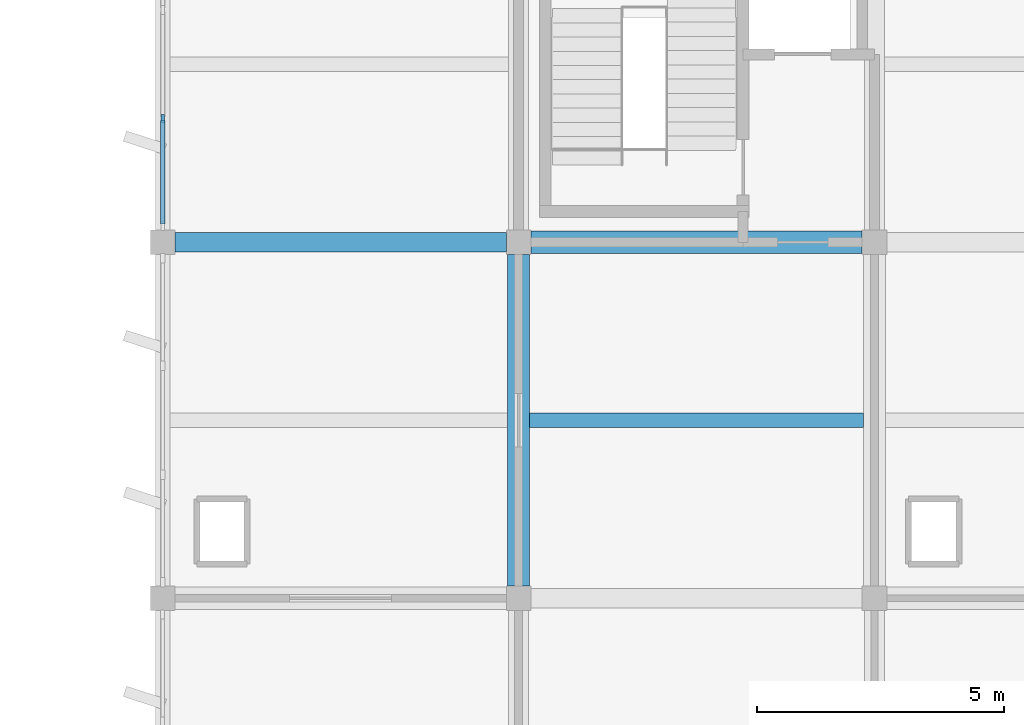
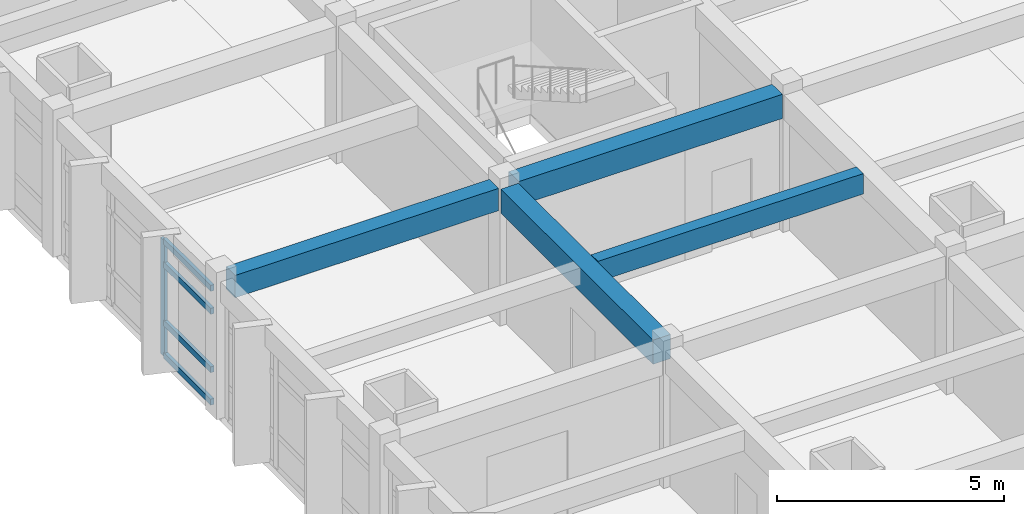
# One storey, part 15 of 40: 5 members, 4 beams, 1 element without a shape of its own.
"""IFC4 building model written with IfcOpenShell, lengths in metres."""

import ifcopenshell
import ifcopenshell.guid

model = None  # the IFC model being written
_history = None  # IfcOwnerHistory: only IFC2X3 demands one
_inside = {}  # id of a spatial element -> (the spatial element, [elements in it])
_under = {}  # id of a project, library or spatial element -> (it, [spatial elements below it])
_declared = {}  # id of a project -> (the project, [libraries it declares])
_typed = {}  # id of a type object -> (the type object, [elements of that type])
_made_of = {}  # id of a material, layer set ... -> (it, [elements and type objects made of it])


def new_model(schema):
    """Start an empty IFC model of exactly this schema.

    Asked for "IFC4X3", IfcOpenShell would pick the latest addendum, in which some entities
    have other attributes; the version numbers below select the first issue.
    IFC2X3 requires an IfcOwnerHistory on every rooted entity: one is made here for all.
    """
    global model, _history
    if schema == "IFC4X3":
        model = ifcopenshell.file(schema_version=(4, 3, 0, 0))
    else:
        model = ifcopenshell.file(schema=schema)
    _inside.clear()
    _under.clear()
    _declared.clear()
    _typed.clear()
    _made_of.clear()
    _history = None
    if model.schema == "IFC2X3":
        org = make("IfcOrganization", Name="unknown")
        user = make(
            "IfcPersonAndOrganization",
            ThePerson=make("IfcPerson", FamilyName="unknown"),
            TheOrganization=org,
        )
        app = make(
            "IfcApplication",
            ApplicationDeveloper=org,
            Version="unknown",
            ApplicationFullName="unknown",
            ApplicationIdentifier="unknown",
        )
        _history = make(
            "IfcOwnerHistory",
            OwningUser=user,
            OwningApplication=app,
            ChangeAction="ADDED",
            CreationDate=0,
        )
    return model


def make(cls, **values):
    """One entity of the class cls with the attributes given. An attribute that is None is left unset."""
    return model.create_entity(
        cls, **{name: value for name, value in values.items() if value is not None}
    )


def rooted(cls, **values):
    """An entity with a GlobalId (a new one), such as an element, a storey or a relation."""
    return make(cls, GlobalId=ifcopenshell.guid.new(), OwnerHistory=_history, **values)


def si_unit(unit_type, name, prefix=None):
    """IfcSIUnit, for example si_unit("LENGTHUNIT", "METRE", prefix="MILLI")."""
    return make("IfcSIUnit", UnitType=unit_type, Prefix=prefix, Name=name)


def assignment(units):
    """IfcUnitAssignment: the units of a project."""
    return None if units is None else make("IfcUnitAssignment", Units=units)


def point(xyz):
    """IfcCartesianPoint."""
    return None if xyz is None else make("IfcCartesianPoint", Coordinates=xyz)


def direction(xyz):
    """IfcDirection."""
    return None if xyz is None else make("IfcDirection", DirectionRatios=xyz)


def frame(location, z_axis=None, x_axis=None):
    """IfcAxis2Placement3D, a coordinate frame: its origin and axes. An axis left out is left unset."""
    return make(
        "IfcAxis2Placement3D",
        Location=point(location),
        Axis=direction(z_axis),
        RefDirection=direction(x_axis),
    )


def frame_2d(location, x_axis=None):
    """IfcAxis2Placement2D, a coordinate frame in the plane: its origin and x axis."""
    return make(
        "IfcAxis2Placement2D", Location=point(location), RefDirection=direction(x_axis)
    )


def origin():
    """The frame at (0, 0, 0) with its axes left unset."""
    return frame((0.0, 0.0, 0.0))


def origin_2d():
    """The frame at (0, 0) in the plane with its x axis left unset."""
    return frame_2d((0.0, 0.0))


def place(relative_to, where):
    """IfcLocalPlacement: puts the frame where relative to a parent placement (None: the world)."""
    return make(
        "IfcLocalPlacement", PlacementRelTo=relative_to, RelativePlacement=where
    )


def context(
    kind, dimensions, precision=None, world=None, true_north=None, identifier=None
):
    """IfcGeometricRepresentationContext, for example the 3D "Model" context."""
    return make(
        "IfcGeometricRepresentationContext",
        ContextIdentifier=identifier,
        ContextType=kind,
        CoordinateSpaceDimension=dimensions,
        Precision=precision,
        WorldCoordinateSystem=world,
        TrueNorth=true_north,
    )


def subcontext(parent, identifier, kind, view, scale=None):
    """IfcGeometricRepresentationSubContext, for example "Body" below "Model"."""
    return make(
        "IfcGeometricRepresentationSubContext",
        ContextIdentifier=identifier,
        ContextType=kind,
        ParentContext=parent,
        TargetScale=scale,
        TargetView=view,
    )


def project(units=None, contexts=None):
    """IfcProject with its units and contexts."""
    return rooted(
        "IfcProject",
        Name="project",
        RepresentationContexts=contexts,
        UnitsInContext=assignment(units),
    )


def spatial(cls, under=None, at=None, **own):
    """A site, building, storey or space (cls), placed at a placement, below another one or the project."""
    s = rooted(cls, ObjectPlacement=at, **own)
    if under is not None:
        _under.setdefault(under.id(), (under, []))[1].append(s)
    return s


def profile(cls, at=None, kind="AREA", **sizes):
    """A parametric profile (cls). Its sizes go by their IFC names, for example OverallWidth=200.0."""
    return make(cls, ProfileType=kind, Position=at, **sizes)


def rectangle(**sizes):
    """IfcRectangleProfileDef."""
    return profile("IfcRectangleProfileDef", **sizes)


def extrude(swept, where, along, depth):
    """IfcExtrudedAreaSolid: the profile swept, set in the frame where, extruded along a direction by depth."""
    return make(
        "IfcExtrudedAreaSolid",
        SweptArea=swept,
        Position=where,
        ExtrudedDirection=direction(along),
        Depth=depth,
    )


def shape(context_of_items, identifier, shape_type, items):
    """IfcShapeRepresentation: the items that make up one representation, for example the "Body"."""
    return make(
        "IfcShapeRepresentation",
        ContextOfItems=context_of_items,
        RepresentationIdentifier=identifier,
        RepresentationType=shape_type,
        Items=items,
    )


def material(Name=None, Category=None):
    """IfcMaterial."""
    return make("IfcMaterial", Name=Name, Category=Category)


def layer(
    of_material, thickness, ventilated=None, Name=None, Category=None, Priority=None
):
    """IfcMaterialLayer: one layer of a wall or slab, of a material (None: an air gap)."""
    return make(
        "IfcMaterialLayer",
        Material=of_material,
        LayerThickness=thickness,
        IsVentilated=ventilated,
        Name=Name,
        Category=Category,
        Priority=Priority,
    )


def layer_set(layers, Name=None):
    """IfcMaterialLayerSet."""
    return make("IfcMaterialLayerSet", MaterialLayers=layers, LayerSetName=Name)


def material_profile(
    of_material, cross_section, Name=None, Category=None, Priority=None
):
    """IfcMaterialProfile: a cross section and its material."""
    return make(
        "IfcMaterialProfile",
        Name=Name,
        Material=of_material,
        Profile=cross_section,
        Priority=Priority,
        Category=Category,
    )


def profile_set(profiles, Name=None, composite=None):
    """IfcMaterialProfileSet."""
    return make(
        "IfcMaterialProfileSet",
        Name=Name,
        MaterialProfiles=profiles,
        CompositeProfile=composite,
    )


def made_of(thing, what):
    """Note that an element or type object is made of a material, layer set ...; save() writes the relation."""
    if what is not None:
        _made_of.setdefault(what.id(), (what, []))[1].append(thing)
    return thing


def type_object(cls, material=None, **own):
    """A type object (cls), such as IfcWallType, which elements share."""
    return made_of(rooted(cls, **own), material)


def element(
    cls,
    number,
    at=None,
    inside=None,
    cuts=None,
    type_object=None,
    material=None,
    context=None,
    identifier="Body",
    shape_type=None,
    held_by="IfcProductDefinitionShape",
    body=None,
    shapes=None,
    **own,
):
    """One element of the class cls, such as IfcWall. Its Tag is "e" and its number.

    at: its placement. inside: the storey or other place that contains it. cuts: it is an
    opening in that element (IfcRelVoidsElement). A single representation is given by context,
    identifier, shape_type and body (its items); several are given by shapes. held_by: the class
    of the entity that holds the representations. save() writes the other relations.
    """
    e = rooted(cls, Tag="e%d" % number, ObjectPlacement=at, **own)
    if body is not None:
        shapes = [shape(context, identifier, shape_type, body)]
    if shapes is not None:
        e.Representation = make(held_by, Representations=shapes)
    if inside is not None:
        _inside.setdefault(inside.id(), (inside, []))[1].append(e)
    if cuts is not None:
        rooted(
            "IfcRelVoidsElement", RelatingBuildingElement=cuts, RelatedOpeningElement=e
        )
    if type_object is not None:
        _typed.setdefault(type_object.id(), (type_object, []))[1].append(e)
    return made_of(e, material)


def aggregate(whole, parts):
    """IfcRelAggregates: a whole, such as a stair, and the parts it consists of."""
    return rooted("IfcRelAggregates", RelatingObject=whole, RelatedObjects=parts)


def save(model, path):
    """Write the relations noted so far, then the file.

    IfcRelAggregates (storeys below a building ...), IfcRelContainedInSpatialStructure (elements
    in a storey), IfcRelDefinesByType, IfcRelAssociatesMaterial and IfcRelDeclares: one each for
    every whole, place, type object, material and project.
    """
    for whole, parts in _under.values():
        aggregate(whole, parts)
    for where, things in _inside.values():
        rooted(
            "IfcRelContainedInSpatialStructure",
            RelatedElements=things,
            RelatingStructure=where,
        )
    for kind, things in _typed.values():
        rooted("IfcRelDefinesByType", RelatedObjects=things, RelatingType=kind)
    for what, things in _made_of.values():
        rooted("IfcRelAssociatesMaterial", RelatedObjects=things, RelatingMaterial=what)
    for by, libraries in _declared.values():
        rooted("IfcRelDeclares", RelatingContext=by, RelatedDefinitions=libraries)
    model.write(path)


model = new_model("IFC4")

# Units and contexts
model_context = context("Model", 3, precision=1e-05, world=origin(), true_north=direction((0.0, 1.0)))
body_context = subcontext(model_context, "Body", "Model", "MODEL_VIEW")
ifc_project = project(units=[si_unit("LENGTHUNIT", "METRE"), si_unit("AREAUNIT", "SQUARE_METRE"), si_unit("VOLUMEUNIT", "CUBIC_METRE"), si_unit("PLANEANGLEUNIT", "RADIAN"), si_unit("MASSUNIT", "GRAM", prefix="KILO")], contexts=[model_context])

# Site, building, storey
site_placement = place(None, origin())
site = spatial("IfcSite", under=ifc_project, at=site_placement, CompositionType="ELEMENT")
building_placement = place(site_placement, origin())
building = spatial("IfcBuilding", under=site, at=building_placement, Name="Kavelor Marine Aquarium", CompositionType="ELEMENT")
storey_placement = place(building_placement, frame((0.0, 0.0, 17.639892578125)))
storey = spatial("IfcBuildingStorey", under=building, at=storey_placement, Name="L04", CompositionType="ELEMENT", Elevation=17.639892578125)

# Beams
ifc_material_1 = material(Name="Concrete C40/50", Category="concrete")
ifc_material_profile_1 = material_profile(ifc_material_1, rectangle(XDim=0.449951171875, YDim=0.64990234375, at=origin_2d()), Name="RC-BM 450x650")
ifc_profile_set_1 = profile_set([ifc_material_profile_1], Name="Concrete C40/50")
beam_type_1 = type_object("IfcBeamType", Name="BM-B3", PredefinedType="BEAM", material=ifc_profile_set_1)
for number, where, z_axis, x_axis, name in (
    (1, (125.85009765625, 96.39990234375, 3.375), (1.0, 0.0, 0.0), (0.0, 1.0, 0.0), "bm:x:L04:L05:17_13"),
    (2, (125.60009765625, 89.449951171875, 3.355224609375), (0.0, 1.0, 0.0), (-1.0, 0.0, 0.0), "bm:y:L04:L05:17_12"),
):
    element("IfcBeam", number, at=place(storey_placement, frame(where, z_axis=z_axis, x_axis=x_axis)), inside=storey, type_object=beam_type_1, Name=name, PredefinedType="BEAM", context=body_context, shape_type="SweptSolid", body=[
        extrude(rectangle(XDim=0.449951171875, YDim=0.64990234375, at=origin_2d()), origin(), (0.0, 0.0, 1.0), 6.699951171875),
    ])
ifc_material_2 = material(Name="Concrete C40/50", Category="concrete")
ifc_material_profile_2 = material_profile(ifc_material_2, rectangle(XDim=0.39990234375, YDim=0.60009765625, at=origin_2d()), Name="RC-BM 400x600")
ifc_profile_set_2 = profile_set([ifc_material_profile_2], Name="Concrete C40/50")
beam_type_2 = type_object("IfcBeamType", Name="BM-B4", PredefinedType="BEAM", material=ifc_profile_set_2)
beam_1_placement = place(storey_placement, frame((118.64990234375, 96.39990234375, 3.380126953125), z_axis=(1.0, 0.0, 0.0), x_axis=(0.0, 1.0, 0.0)))
element("IfcBeam", 3, at=beam_1_placement, inside=storey, type_object=beam_type_2, Name="bm:x:L04:L05:16_13", PredefinedType="BEAM", context=body_context, shape_type="SweptSolid", body=[
    extrude(rectangle(XDim=0.39990234375, YDim=0.60009765625, at=origin_2d()), origin(), (0.0, 0.0, 1.0), 6.7001953125),
])
ifc_material_3 = material(Name="Concrete C40/50", Category="concrete")
ifc_material_profile_3 = material_profile(ifc_material_3, rectangle(XDim=0.300048828125, YDim=0.550048828125, at=origin_2d()), Name="RC-JS 300x550")
ifc_profile_set_3 = profile_set([ifc_material_profile_3], Name="Concrete C40/50")
beam_type_3 = type_object("IfcBeamType", Name="BM-JS2", PredefinedType="JOIST", material=ifc_profile_set_3)
beam_2_placement = place(storey_placement, frame((125.824951171875, 92.800048828125, 3.425048828125), z_axis=(1.0, 0.0, 0.0), x_axis=(0.0, 1.0, 0.0)))
element("IfcBeam", 4, at=beam_2_placement, inside=storey, type_object=beam_type_3, Name="js:L04:L05:17_12", PredefinedType="JOIST", context=body_context, shape_type="SweptSolid", body=[
    extrude(rectangle(XDim=0.300048828125, YDim=0.550048828125, at=origin_2d()), origin(), (0.0, 0.0, 1.0), 6.75),
])

# Curtain wall, members
ifc_material_4 = material(Name="Thermally Broken Aluminium and Low-E Glass", Category="aluminium")
ifc_layer = layer(ifc_material_4, 0.31591796875)
ifc_layer_set = layer_set([ifc_layer], Name="CW-SYS22")
curtain_wall_type = type_object("IfcCurtainWallType", Name="CW-SYS22", PredefinedType="USERDEFINED", material=ifc_layer_set)
curtain_wall_placement = place(storey_placement, origin())
curtain_wall = element("IfcCurtainWall", 5, at=curtain_wall_placement, inside=storey, type_object=curtain_wall_type, Name="cw:y:L04:16_13", ObjectType="Curtain Wall", PredefinedType="USERDEFINED")
ifc_material_5 = material(Name="Anodised Aluminium Alloy 6063-T6", Category="aluminium")
ifc_material_profile_4 = material_profile(ifc_material_5, rectangle(XDim=0.074951171875, YDim=0.179931640625, at=origin_2d()), Name="CW-MUL 75x180")
ifc_profile_set_4 = profile_set([ifc_material_profile_4], Name="Anodised Aluminium Alloy 6063-T6")
member_type_1 = type_object("IfcMemberType", Name="CWM-1", PredefinedType="MULLION", material=ifc_profile_set_4)
member_1_placement = place(storey_placement, frame((118.39990234375, 98.8984375, 0.0), z_axis=(0.0, 0.0, 1.0), x_axis=(1.0, 0.0, 0.0)))
member_1 = element("IfcMember", 6, at=member_1_placement, type_object=member_type_1, Name="CW22 mullion 3", PredefinedType="MULLION", context=body_context, shape_type="SweptSolid", body=[
    extrude(rectangle(XDim=0.074951171875, YDim=0.179931640625, at=origin_2d()), origin(), (0.0, 0.0, 1.0), 3.1201171875),
])
ifc_material_6 = material(Name="Anodised Aluminium Alloy 6063-T6", Category="aluminium")
ifc_material_profile_5 = material_profile(ifc_material_6, rectangle(XDim=0.0849609375, YDim=0.159912109375, at=origin_2d()), Name="CW-TRN 85x160")
ifc_profile_set_5 = profile_set([ifc_material_profile_5], Name="Anodised Aluminium Alloy 6063-T6")
member_type_2 = type_object("IfcMemberType", Name="CWT-3", PredefinedType="USERDEFINED", material=ifc_profile_set_5)
member_2_placement = place(storey_placement, frame((118.39990234375, 98.86083984375, 0.030029296875), z_axis=(0.0, -1.0, 0.0), x_axis=(1.0, 0.0, 0.0)))
member_2 = element("IfcMember", 7, at=member_2_placement, type_object=member_type_2, Name="CW22 transom 3.1", ObjectType="TRANSOM", PredefinedType="USERDEFINED", context=body_context, shape_type="SweptSolid", body=[
    extrude(rectangle(XDim=0.0849609375, YDim=0.159912109375, at=origin_2d()), origin(), (0.0, 0.0, 1.0), 2.0908203125),
])
member_3_placement = place(storey_placement, frame((118.39990234375, 98.86083984375, 0.900146484375), z_axis=(0.0, -1.0, 0.0), x_axis=(1.0, 0.0, 0.0)))
member_3 = element("IfcMember", 8, at=member_3_placement, type_object=member_type_2, Name="CW22 transom 3.2", ObjectType="TRANSOM", PredefinedType="USERDEFINED", context=body_context, shape_type="SweptSolid", body=[
    extrude(rectangle(XDim=0.0849609375, YDim=0.159912109375, at=origin_2d()), origin(), (0.0, 0.0, 1.0), 2.0908203125),
])
member_4_placement = place(storey_placement, frame((118.39990234375, 98.86083984375, 2.47021484375), z_axis=(0.0, -1.0, 0.0), x_axis=(1.0, 0.0, 0.0)))
member_4 = element("IfcMember", 9, at=member_4_placement, type_object=member_type_2, Name="CW22 transom 3.3", ObjectType="TRANSOM", PredefinedType="USERDEFINED", context=body_context, shape_type="SweptSolid", body=[
    extrude(rectangle(XDim=0.0849609375, YDim=0.159912109375, at=origin_2d()), origin(), (0.0, 0.0, 1.0), 2.0908203125),
])
member_5_placement = place(storey_placement, frame((118.39990234375, 98.86083984375, 3.090087890625), z_axis=(0.0, -1.0, 0.0), x_axis=(1.0, 0.0, 0.0)))
member_5 = element("IfcMember", 10, at=member_5_placement, type_object=member_type_2, Name="CW22 transom 3.4", ObjectType="TRANSOM", PredefinedType="USERDEFINED", context=body_context, shape_type="SweptSolid", body=[
    extrude(rectangle(XDim=0.0849609375, YDim=0.159912109375, at=origin_2d()), origin(), (0.0, 0.0, 1.0), 2.0908203125),
])
aggregate(curtain_wall, [member_1, member_2, member_3, member_4, member_5])

save(model, "model.ifc")
